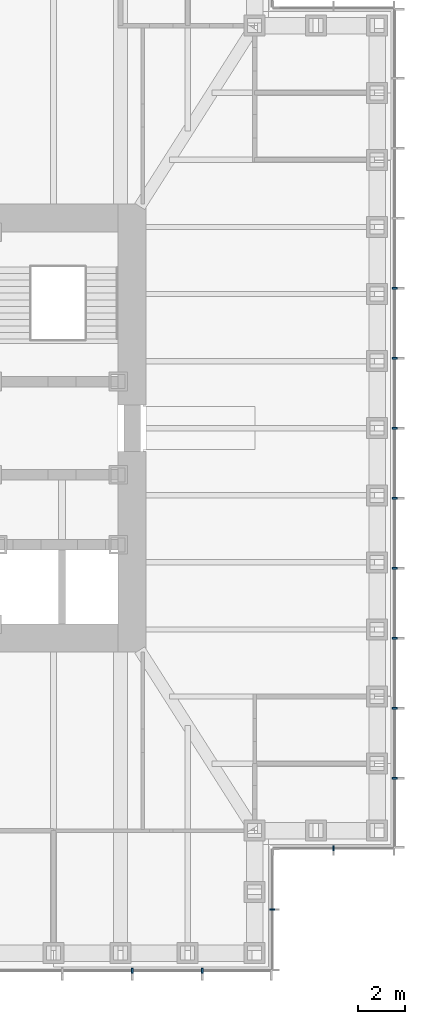
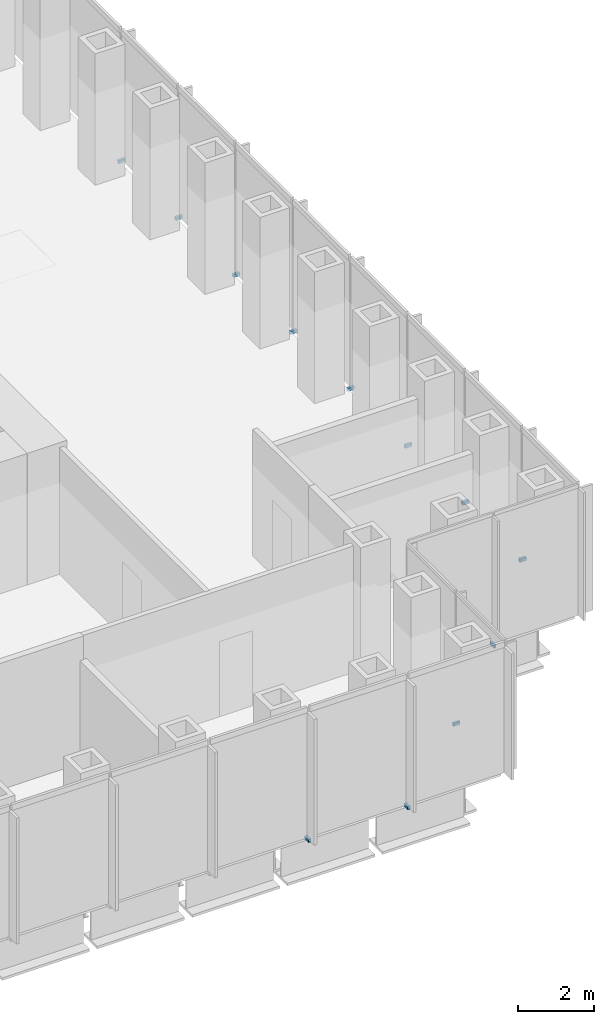
# One storey, part 14 of 17: 12 discrete accessories.
"""IFC4 building model written with IfcOpenShell, lengths in metres."""

import ifcopenshell
import ifcopenshell.guid

model = None  # the IFC model being written
_history = None  # IfcOwnerHistory: only IFC2X3 demands one
_inside = {}  # id of a spatial element -> (the spatial element, [elements in it])
_under = {}  # id of a project, library or spatial element -> (it, [spatial elements below it])
_declared = {}  # id of a project -> (the project, [libraries it declares])
_typed = {}  # id of a type object -> (the type object, [elements of that type])
_made_of = {}  # id of a material, layer set ... -> (it, [elements and type objects made of it])


def new_model(schema):
    """Start an empty IFC model of exactly this schema.

    Asked for "IFC4X3", IfcOpenShell would pick the latest addendum, in which some entities
    have other attributes; the version numbers below select the first issue.
    IFC2X3 requires an IfcOwnerHistory on every rooted entity: one is made here for all.
    """
    global model, _history
    if schema == "IFC4X3":
        model = ifcopenshell.file(schema_version=(4, 3, 0, 0))
    else:
        model = ifcopenshell.file(schema=schema)
    _inside.clear()
    _under.clear()
    _declared.clear()
    _typed.clear()
    _made_of.clear()
    _history = None
    if model.schema == "IFC2X3":
        org = make("IfcOrganization", Name="unknown")
        user = make(
            "IfcPersonAndOrganization",
            ThePerson=make("IfcPerson", FamilyName="unknown"),
            TheOrganization=org,
        )
        app = make(
            "IfcApplication",
            ApplicationDeveloper=org,
            Version="unknown",
            ApplicationFullName="unknown",
            ApplicationIdentifier="unknown",
        )
        _history = make(
            "IfcOwnerHistory",
            OwningUser=user,
            OwningApplication=app,
            ChangeAction="ADDED",
            CreationDate=0,
        )
    return model


def make(cls, **values):
    """One entity of the class cls with the attributes given. An attribute that is None is left unset."""
    return model.create_entity(
        cls, **{name: value for name, value in values.items() if value is not None}
    )


def rooted(cls, **values):
    """An entity with a GlobalId (a new one), such as an element, a storey or a relation."""
    return make(cls, GlobalId=ifcopenshell.guid.new(), OwnerHistory=_history, **values)


def si_unit(unit_type, name, prefix=None):
    """IfcSIUnit, for example si_unit("LENGTHUNIT", "METRE", prefix="MILLI")."""
    return make("IfcSIUnit", UnitType=unit_type, Prefix=prefix, Name=name)


def assignment(units):
    """IfcUnitAssignment: the units of a project."""
    return None if units is None else make("IfcUnitAssignment", Units=units)


def point(xyz):
    """IfcCartesianPoint."""
    return None if xyz is None else make("IfcCartesianPoint", Coordinates=xyz)


def direction(xyz):
    """IfcDirection."""
    return None if xyz is None else make("IfcDirection", DirectionRatios=xyz)


def frame(location, z_axis=None, x_axis=None):
    """IfcAxis2Placement3D, a coordinate frame: its origin and axes. An axis left out is left unset."""
    return make(
        "IfcAxis2Placement3D",
        Location=point(location),
        Axis=direction(z_axis),
        RefDirection=direction(x_axis),
    )


def frame_2d(location, x_axis=None):
    """IfcAxis2Placement2D, a coordinate frame in the plane: its origin and x axis."""
    return make(
        "IfcAxis2Placement2D", Location=point(location), RefDirection=direction(x_axis)
    )


def origin():
    """The frame at (0, 0, 0) with its axes left unset."""
    return frame((0.0, 0.0, 0.0))


def origin_2d():
    """The frame at (0, 0) in the plane with its x axis left unset."""
    return frame_2d((0.0, 0.0))


def place(relative_to, where):
    """IfcLocalPlacement: puts the frame where relative to a parent placement (None: the world)."""
    return make(
        "IfcLocalPlacement", PlacementRelTo=relative_to, RelativePlacement=where
    )


def context(
    kind, dimensions, precision=None, world=None, true_north=None, identifier=None
):
    """IfcGeometricRepresentationContext, for example the 3D "Model" context."""
    return make(
        "IfcGeometricRepresentationContext",
        ContextIdentifier=identifier,
        ContextType=kind,
        CoordinateSpaceDimension=dimensions,
        Precision=precision,
        WorldCoordinateSystem=world,
        TrueNorth=true_north,
    )


def subcontext(parent, identifier, kind, view, scale=None):
    """IfcGeometricRepresentationSubContext, for example "Body" below "Model"."""
    return make(
        "IfcGeometricRepresentationSubContext",
        ContextIdentifier=identifier,
        ContextType=kind,
        ParentContext=parent,
        TargetScale=scale,
        TargetView=view,
    )


def project(units=None, contexts=None):
    """IfcProject with its units and contexts."""
    return rooted(
        "IfcProject",
        Name="project",
        RepresentationContexts=contexts,
        UnitsInContext=assignment(units),
    )


def spatial(cls, under=None, at=None, **own):
    """A site, building, storey or space (cls), placed at a placement, below another one or the project."""
    s = rooted(cls, ObjectPlacement=at, **own)
    if under is not None:
        _under.setdefault(under.id(), (under, []))[1].append(s)
    return s


def profile(cls, at=None, kind="AREA", **sizes):
    """A parametric profile (cls). Its sizes go by their IFC names, for example OverallWidth=200.0."""
    return make(cls, ProfileType=kind, Position=at, **sizes)


def rectangle(**sizes):
    """IfcRectangleProfileDef."""
    return profile("IfcRectangleProfileDef", **sizes)


def extrude(swept, where, along, depth):
    """IfcExtrudedAreaSolid: the profile swept, set in the frame where, extruded along a direction by depth."""
    return make(
        "IfcExtrudedAreaSolid",
        SweptArea=swept,
        Position=where,
        ExtrudedDirection=direction(along),
        Depth=depth,
    )


def shape(context_of_items, identifier, shape_type, items):
    """IfcShapeRepresentation: the items that make up one representation, for example the "Body"."""
    return make(
        "IfcShapeRepresentation",
        ContextOfItems=context_of_items,
        RepresentationIdentifier=identifier,
        RepresentationType=shape_type,
        Items=items,
    )


def made_of(thing, what):
    """Note that an element or type object is made of a material, layer set ...; save() writes the relation."""
    if what is not None:
        _made_of.setdefault(what.id(), (what, []))[1].append(thing)
    return thing


def element(
    cls,
    number,
    at=None,
    inside=None,
    cuts=None,
    type_object=None,
    material=None,
    context=None,
    identifier="Body",
    shape_type=None,
    held_by="IfcProductDefinitionShape",
    body=None,
    shapes=None,
    **own,
):
    """One element of the class cls, such as IfcWall. Its Tag is "e" and its number.

    at: its placement. inside: the storey or other place that contains it. cuts: it is an
    opening in that element (IfcRelVoidsElement). A single representation is given by context,
    identifier, shape_type and body (its items); several are given by shapes. held_by: the class
    of the entity that holds the representations. save() writes the other relations.
    """
    e = rooted(cls, Tag="e%d" % number, ObjectPlacement=at, **own)
    if body is not None:
        shapes = [shape(context, identifier, shape_type, body)]
    if shapes is not None:
        e.Representation = make(held_by, Representations=shapes)
    if inside is not None:
        _inside.setdefault(inside.id(), (inside, []))[1].append(e)
    if cuts is not None:
        rooted(
            "IfcRelVoidsElement", RelatingBuildingElement=cuts, RelatedOpeningElement=e
        )
    if type_object is not None:
        _typed.setdefault(type_object.id(), (type_object, []))[1].append(e)
    return made_of(e, material)


def aggregate(whole, parts):
    """IfcRelAggregates: a whole, such as a stair, and the parts it consists of."""
    return rooted("IfcRelAggregates", RelatingObject=whole, RelatedObjects=parts)


def save(model, path):
    """Write the relations noted so far, then the file.

    IfcRelAggregates (storeys below a building ...), IfcRelContainedInSpatialStructure (elements
    in a storey), IfcRelDefinesByType, IfcRelAssociatesMaterial and IfcRelDeclares: one each for
    every whole, place, type object, material and project.
    """
    for whole, parts in _under.values():
        aggregate(whole, parts)
    for where, things in _inside.values():
        rooted(
            "IfcRelContainedInSpatialStructure",
            RelatedElements=things,
            RelatingStructure=where,
        )
    for kind, things in _typed.values():
        rooted("IfcRelDefinesByType", RelatedObjects=things, RelatingType=kind)
    for what, things in _made_of.values():
        rooted("IfcRelAssociatesMaterial", RelatedObjects=things, RelatingMaterial=what)
    for by, libraries in _declared.values():
        rooted("IfcRelDeclares", RelatingContext=by, RelatedDefinitions=libraries)
    model.write(path)


model = new_model("IFC4")

# Units and contexts
model_context = context("Model", 3, precision=1e-05, world=origin(), true_north=direction((0.0, 1.0)))
body_context = subcontext(model_context, "Body", "Model", "MODEL_VIEW")
ifc_project = project(units=[si_unit("LENGTHUNIT", "METRE"), si_unit("AREAUNIT", "SQUARE_METRE"), si_unit("VOLUMEUNIT", "CUBIC_METRE"), si_unit("PLANEANGLEUNIT", "RADIAN"), si_unit("MASSUNIT", "GRAM", prefix="KILO")], contexts=[model_context])

# Site, building, storey
site_placement = place(None, origin())
site = spatial("IfcSite", under=ifc_project, at=site_placement, CompositionType="ELEMENT")
building_placement = place(site_placement, origin())
building = spatial("IfcBuilding", under=site, at=building_placement, Name="Daluyong Arena Tower", CompositionType="ELEMENT")
storey_placement = place(building_placement, frame((0.0, 0.0, 124.89990234375)))
storey = spatial("IfcBuildingStorey", under=building, at=storey_placement, Name="L27", CompositionType="ELEMENT", Elevation=124.89990234375)

# Discrete accessories
for number, where, z_axis, x_axis, name in (
    (1, (68.0, 56.75, -0.099853515625), (0.0, 0.0, 1.0), (1.0, 0.0, 0.0), "curtain wall L27 S anchor bracket 11"),
    (2, (71.0, 56.75, -0.099853515625), (0.0, 0.0, 1.0), (1.0, 0.0, 0.0), "curtain wall L27 S anchor bracket 12"),
):
    element("IfcDiscreteAccessory", number, at=place(storey_placement, frame(where, z_axis=z_axis, x_axis=x_axis)), inside=storey, Name=name, PredefinedType="BRACKET", context=body_context, shape_type="SweptSolid", body=[
        extrude(rectangle(XDim=0.080078125, YDim=0.199951171875, at=origin_2d()), origin(), (0.0, 0.0, 1.0), 0.10009765625),
    ])
for number, where, z_axis, x_axis, name in (
    (3, (74.0, 59.375, -0.099853515625), (0.0, 0.0, 1.0), (0.0, 1.0, 0.0), "curtain wall L27 SE-E anchor bracket 2"),
    (4, (76.625, 62.0, -0.099853515625), (0.0, 0.0, 1.0), (1.0, 0.0, 0.0), "curtain wall L27 SE-S anchor bracket 2"),
):
    element("IfcDiscreteAccessory", number, at=place(storey_placement, frame(where, z_axis=z_axis, x_axis=x_axis)), inside=storey, Name=name, PredefinedType="BRACKET", context=body_context, shape_type="SweptSolid", body=[
        extrude(rectangle(XDim=0.06005859375, YDim=0.199951171875, at=origin_2d()), origin(), (0.0, 0.0, 1.0), 0.10009765625),
    ])
for number, where, z_axis, x_axis, name in (
    (5, (79.25, 65.0, -0.099853515625), (0.0, 0.0, 1.0), (0.0, 1.0, 0.0), "curtain wall L27 E anchor bracket 2"),
    (6, (79.25, 68.0, -0.099853515625), (0.0, 0.0, 1.0), (0.0, 1.0, 0.0), "curtain wall L27 E anchor bracket 3"),
    (7, (79.25, 71.0, -0.099853515625), (0.0, 0.0, 1.0), (0.0, 1.0, 0.0), "curtain wall L27 E anchor bracket 4"),
    (8, (79.25, 74.0, -0.099853515625), (0.0, 0.0, 1.0), (0.0, 1.0, 0.0), "curtain wall L27 E anchor bracket 5"),
    (9, (79.25, 77.0, -0.099853515625), (0.0, 0.0, 1.0), (0.0, 1.0, 0.0), "curtain wall L27 E anchor bracket 6"),
    (10, (79.25, 80.0, -0.099853515625), (0.0, 0.0, 1.0), (0.0, 1.0, 0.0), "curtain wall L27 E anchor bracket 7"),
    (11, (79.25, 83.0, -0.099853515625), (0.0, 0.0, 1.0), (0.0, 1.0, 0.0), "curtain wall L27 E anchor bracket 8"),
    (12, (79.25, 86.0, -0.099853515625), (0.0, 0.0, 1.0), (0.0, 1.0, 0.0), "curtain wall L27 E anchor bracket 9"),
):
    element("IfcDiscreteAccessory", number, at=place(storey_placement, frame(where, z_axis=z_axis, x_axis=x_axis)), inside=storey, Name=name, PredefinedType="BRACKET", context=body_context, shape_type="SweptSolid", body=[
        extrude(rectangle(XDim=0.080078125, YDim=0.199951171875, at=origin_2d()), origin(), (0.0, 0.0, 1.0), 0.10009765625),
    ])

save(model, "model.ifc")
